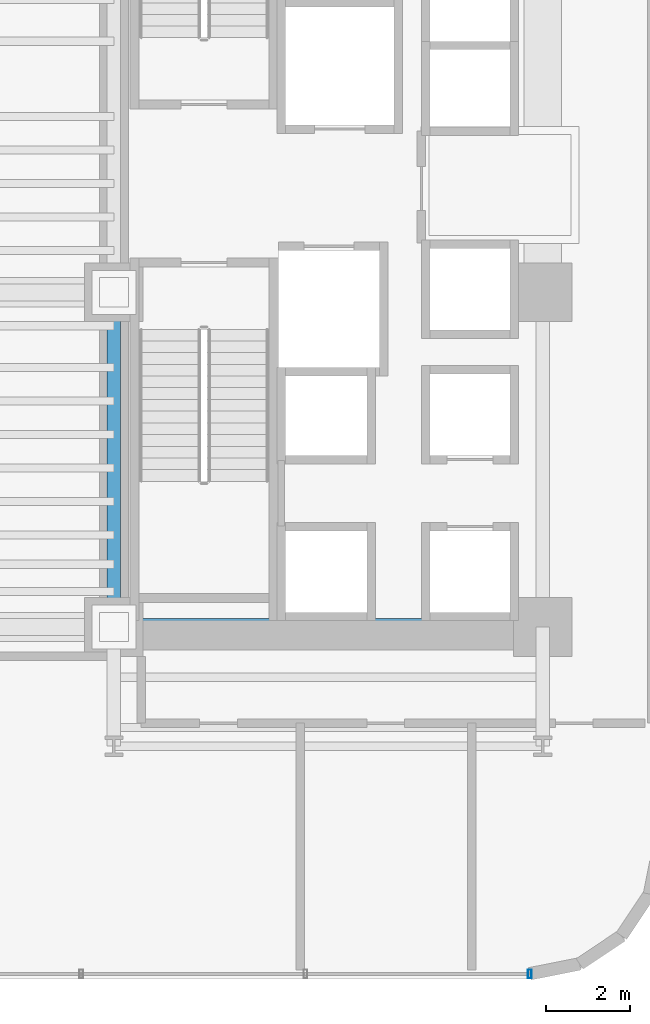
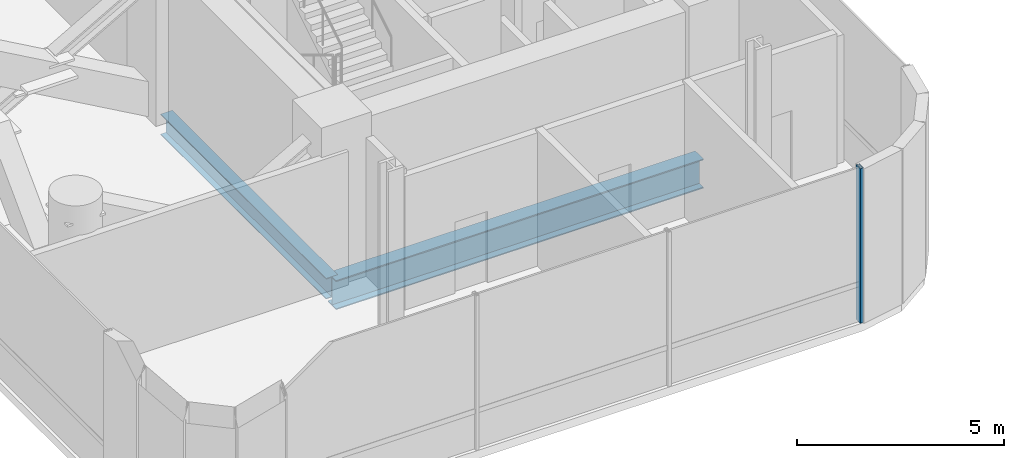
# One storey, part 6 of 39: 2 beams, 1 member, 1 element without a shape of its own.
"""IFC4 building model written with IfcOpenShell, lengths in metres."""

import ifcopenshell
import ifcopenshell.guid

model = None  # the IFC model being written
_history = None  # IfcOwnerHistory: only IFC2X3 demands one
_inside = {}  # id of a spatial element -> (the spatial element, [elements in it])
_under = {}  # id of a project, library or spatial element -> (it, [spatial elements below it])
_declared = {}  # id of a project -> (the project, [libraries it declares])
_typed = {}  # id of a type object -> (the type object, [elements of that type])
_made_of = {}  # id of a material, layer set ... -> (it, [elements and type objects made of it])


def new_model(schema):
    """Start an empty IFC model of exactly this schema.

    Asked for "IFC4X3", IfcOpenShell would pick the latest addendum, in which some entities
    have other attributes; the version numbers below select the first issue.
    IFC2X3 requires an IfcOwnerHistory on every rooted entity: one is made here for all.
    """
    global model, _history
    if schema == "IFC4X3":
        model = ifcopenshell.file(schema_version=(4, 3, 0, 0))
    else:
        model = ifcopenshell.file(schema=schema)
    _inside.clear()
    _under.clear()
    _declared.clear()
    _typed.clear()
    _made_of.clear()
    _history = None
    if model.schema == "IFC2X3":
        org = make("IfcOrganization", Name="unknown")
        user = make(
            "IfcPersonAndOrganization",
            ThePerson=make("IfcPerson", FamilyName="unknown"),
            TheOrganization=org,
        )
        app = make(
            "IfcApplication",
            ApplicationDeveloper=org,
            Version="unknown",
            ApplicationFullName="unknown",
            ApplicationIdentifier="unknown",
        )
        _history = make(
            "IfcOwnerHistory",
            OwningUser=user,
            OwningApplication=app,
            ChangeAction="ADDED",
            CreationDate=0,
        )
    return model


def make(cls, **values):
    """One entity of the class cls with the attributes given. An attribute that is None is left unset."""
    return model.create_entity(
        cls, **{name: value for name, value in values.items() if value is not None}
    )


def rooted(cls, **values):
    """An entity with a GlobalId (a new one), such as an element, a storey or a relation."""
    return make(cls, GlobalId=ifcopenshell.guid.new(), OwnerHistory=_history, **values)


def si_unit(unit_type, name, prefix=None):
    """IfcSIUnit, for example si_unit("LENGTHUNIT", "METRE", prefix="MILLI")."""
    return make("IfcSIUnit", UnitType=unit_type, Prefix=prefix, Name=name)


def assignment(units):
    """IfcUnitAssignment: the units of a project."""
    return None if units is None else make("IfcUnitAssignment", Units=units)


def point(xyz):
    """IfcCartesianPoint."""
    return None if xyz is None else make("IfcCartesianPoint", Coordinates=xyz)


def direction(xyz):
    """IfcDirection."""
    return None if xyz is None else make("IfcDirection", DirectionRatios=xyz)


def frame(location, z_axis=None, x_axis=None):
    """IfcAxis2Placement3D, a coordinate frame: its origin and axes. An axis left out is left unset."""
    return make(
        "IfcAxis2Placement3D",
        Location=point(location),
        Axis=direction(z_axis),
        RefDirection=direction(x_axis),
    )


def frame_2d(location, x_axis=None):
    """IfcAxis2Placement2D, a coordinate frame in the plane: its origin and x axis."""
    return make(
        "IfcAxis2Placement2D", Location=point(location), RefDirection=direction(x_axis)
    )


def origin():
    """The frame at (0, 0, 0) with its axes left unset."""
    return frame((0.0, 0.0, 0.0))


def origin_2d():
    """The frame at (0, 0) in the plane with its x axis left unset."""
    return frame_2d((0.0, 0.0))


def place(relative_to, where):
    """IfcLocalPlacement: puts the frame where relative to a parent placement (None: the world)."""
    return make(
        "IfcLocalPlacement", PlacementRelTo=relative_to, RelativePlacement=where
    )


def context(
    kind, dimensions, precision=None, world=None, true_north=None, identifier=None
):
    """IfcGeometricRepresentationContext, for example the 3D "Model" context."""
    return make(
        "IfcGeometricRepresentationContext",
        ContextIdentifier=identifier,
        ContextType=kind,
        CoordinateSpaceDimension=dimensions,
        Precision=precision,
        WorldCoordinateSystem=world,
        TrueNorth=true_north,
    )


def subcontext(parent, identifier, kind, view, scale=None):
    """IfcGeometricRepresentationSubContext, for example "Body" below "Model"."""
    return make(
        "IfcGeometricRepresentationSubContext",
        ContextIdentifier=identifier,
        ContextType=kind,
        ParentContext=parent,
        TargetScale=scale,
        TargetView=view,
    )


def project(units=None, contexts=None):
    """IfcProject with its units and contexts."""
    return rooted(
        "IfcProject",
        Name="project",
        RepresentationContexts=contexts,
        UnitsInContext=assignment(units),
    )


def spatial(cls, under=None, at=None, **own):
    """A site, building, storey or space (cls), placed at a placement, below another one or the project."""
    s = rooted(cls, ObjectPlacement=at, **own)
    if under is not None:
        _under.setdefault(under.id(), (under, []))[1].append(s)
    return s


def profile(cls, at=None, kind="AREA", **sizes):
    """A parametric profile (cls). Its sizes go by their IFC names, for example OverallWidth=200.0."""
    return make(cls, ProfileType=kind, Position=at, **sizes)


def hollow_rectangle(**sizes):
    """IfcRectangleHollowProfileDef."""
    return profile("IfcRectangleHollowProfileDef", **sizes)


def i_section(**sizes):
    """IfcIShapeProfileDef."""
    return profile("IfcIShapeProfileDef", **sizes)


def extrude(swept, where, along, depth):
    """IfcExtrudedAreaSolid: the profile swept, set in the frame where, extruded along a direction by depth."""
    return make(
        "IfcExtrudedAreaSolid",
        SweptArea=swept,
        Position=where,
        ExtrudedDirection=direction(along),
        Depth=depth,
    )


def shape(context_of_items, identifier, shape_type, items):
    """IfcShapeRepresentation: the items that make up one representation, for example the "Body"."""
    return make(
        "IfcShapeRepresentation",
        ContextOfItems=context_of_items,
        RepresentationIdentifier=identifier,
        RepresentationType=shape_type,
        Items=items,
    )


def source(mapping_origin, context_of_items, identifier, shape_type, items):
    """IfcRepresentationMap: a shape defined once, which mapped items show again and again."""
    return make(
        "IfcRepresentationMap",
        MappingOrigin=mapping_origin,
        MappedRepresentation=shape(context_of_items, identifier, shape_type, items),
    )


def transform(
    local_origin,
    x_axis=None,
    y_axis=None,
    z_axis=None,
    scale=None,
    scale2=None,
    scale3=None,
    uniform=True,
):
    """IfcCartesianTransformationOperator3D, or its non-uniform kind. x_axis, y_axis, z_axis: its Axis1, 2, 3."""
    if uniform:
        return make(
            "IfcCartesianTransformationOperator3D",
            Axis1=direction(x_axis),
            Axis2=direction(y_axis),
            LocalOrigin=point(local_origin),
            Scale=scale,
            Axis3=direction(z_axis),
        )
    return make(
        "IfcCartesianTransformationOperator3DnonUniform",
        Axis1=direction(x_axis),
        Axis2=direction(y_axis),
        LocalOrigin=point(local_origin),
        Scale=scale,
        Axis3=direction(z_axis),
        Scale2=scale2,
        Scale3=scale3,
    )


def mapped(mapping_source, mapping_target):
    """IfcMappedItem: shows the shape of a source again, moved by a transform."""
    return make(
        "IfcMappedItem", MappingSource=mapping_source, MappingTarget=mapping_target
    )


def material(Name=None, Category=None):
    """IfcMaterial."""
    return make("IfcMaterial", Name=Name, Category=Category)


def material_profile(
    of_material, cross_section, Name=None, Category=None, Priority=None
):
    """IfcMaterialProfile: a cross section and its material."""
    return make(
        "IfcMaterialProfile",
        Name=Name,
        Material=of_material,
        Profile=cross_section,
        Priority=Priority,
        Category=Category,
    )


def profile_set(profiles, Name=None, composite=None):
    """IfcMaterialProfileSet."""
    return make(
        "IfcMaterialProfileSet",
        Name=Name,
        MaterialProfiles=profiles,
        CompositeProfile=composite,
    )


def made_of(thing, what):
    """Note that an element or type object is made of a material, layer set ...; save() writes the relation."""
    if what is not None:
        _made_of.setdefault(what.id(), (what, []))[1].append(thing)
    return thing


def type_object(cls, material=None, **own):
    """A type object (cls), such as IfcWallType, which elements share."""
    return made_of(rooted(cls, **own), material)


def element(
    cls,
    number,
    at=None,
    inside=None,
    cuts=None,
    type_object=None,
    material=None,
    context=None,
    identifier="Body",
    shape_type=None,
    held_by="IfcProductDefinitionShape",
    body=None,
    shapes=None,
    **own,
):
    """One element of the class cls, such as IfcWall. Its Tag is "e" and its number.

    at: its placement. inside: the storey or other place that contains it. cuts: it is an
    opening in that element (IfcRelVoidsElement). A single representation is given by context,
    identifier, shape_type and body (its items); several are given by shapes. held_by: the class
    of the entity that holds the representations. save() writes the other relations.
    """
    e = rooted(cls, Tag="e%d" % number, ObjectPlacement=at, **own)
    if body is not None:
        shapes = [shape(context, identifier, shape_type, body)]
    if shapes is not None:
        e.Representation = make(held_by, Representations=shapes)
    if inside is not None:
        _inside.setdefault(inside.id(), (inside, []))[1].append(e)
    if cuts is not None:
        rooted(
            "IfcRelVoidsElement", RelatingBuildingElement=cuts, RelatedOpeningElement=e
        )
    if type_object is not None:
        _typed.setdefault(type_object.id(), (type_object, []))[1].append(e)
    return made_of(e, material)


def aggregate(whole, parts):
    """IfcRelAggregates: a whole, such as a stair, and the parts it consists of."""
    return rooted("IfcRelAggregates", RelatingObject=whole, RelatedObjects=parts)


def save(model, path):
    """Write the relations noted so far, then the file.

    IfcRelAggregates (storeys below a building ...), IfcRelContainedInSpatialStructure (elements
    in a storey), IfcRelDefinesByType, IfcRelAssociatesMaterial and IfcRelDeclares: one each for
    every whole, place, type object, material and project.
    """
    for whole, parts in _under.values():
        aggregate(whole, parts)
    for where, things in _inside.values():
        rooted(
            "IfcRelContainedInSpatialStructure",
            RelatedElements=things,
            RelatingStructure=where,
        )
    for kind, things in _typed.values():
        rooted("IfcRelDefinesByType", RelatedObjects=things, RelatingType=kind)
    for what, things in _made_of.values():
        rooted("IfcRelAssociatesMaterial", RelatedObjects=things, RelatingMaterial=what)
    for by, libraries in _declared.values():
        rooted("IfcRelDeclares", RelatingContext=by, RelatedDefinitions=libraries)
    model.write(path)


model = new_model("IFC4")

# Units and contexts
model_context = context("Model", 3, precision=1e-05, world=origin(), true_north=direction((0.0, 1.0)))
body_context = subcontext(model_context, "Body", "Model", "MODEL_VIEW")
ifc_project = project(units=[si_unit("LENGTHUNIT", "METRE"), si_unit("AREAUNIT", "SQUARE_METRE"), si_unit("VOLUMEUNIT", "CUBIC_METRE"), si_unit("PLANEANGLEUNIT", "RADIAN"), si_unit("MASSUNIT", "GRAM", prefix="KILO")], contexts=[model_context])

# Site, building, storey
site_placement = place(None, origin())
site = spatial("IfcSite", under=ifc_project, at=site_placement, CompositionType="ELEMENT")
building_placement = place(site_placement, origin())
building = spatial("IfcBuilding", under=site, at=building_placement, Name="Valdorenza Pilgrim Sanctuary Tower", CompositionType="ELEMENT")
storey_placement = place(building_placement, frame((0.0, 0.0, 96.300048828125)))
storey = spatial("IfcBuildingStorey", under=building, at=storey_placement, Name="L24", CompositionType="ELEMENT", Elevation=96.300048828125)

# Beams
ifc_material_1 = material(Name="Steel ASTM A992 Grade 50", Category="steel")
ifc_material_profile_1 = material_profile(ifc_material_1, i_section(OverallWidth=0.323974609375, OverallDepth=0.611083984375, WebThickness=0.0126953125, FlangeThickness=0.01904296875, at=origin_2d()), Name="W24X104")
ifc_profile_set_1 = profile_set([ifc_material_profile_1], Name="Steel ASTM A992 Grade 50")
beam_type_1 = type_object("IfcBeamType", Name="STR-BM-GRD-W24B", PredefinedType="BEAM", material=ifc_profile_set_1)
shared_shape_1 = source(origin(), body_context, "Body", "SweptSolid", [
    extrude(i_section(OverallWidth=0.323974609375, OverallDepth=0.611083984375, WebThickness=0.0126953125, FlangeThickness=0.01904296875, at=origin_2d()), origin(), (0.0, 0.0, 1.0), 8.0),
])
beam_1_placement = place(storey_placement, frame((-22.64990234375, -10.60009765625, -0.545654296875), z_axis=(0.0, 1.0, 0.0), x_axis=(-1.0, 0.0, 0.0)))
element("IfcBeam", 1, at=beam_1_placement, inside=storey, type_object=beam_type_1, Name="L24 Core Tie Girder CA-W-S1M0", PredefinedType="BEAM", context=body_context, shape_type="MappedRepresentation", body=[
    mapped(shared_shape_1, transform((0.0, 0.0, 0.0), x_axis=(1.0, 0.0, 0.0), y_axis=(0.0, 1.0, 0.0), z_axis=(0.0, 0.0, 1.0), scale=1.0)),
])
ifc_material_profile_2 = material_profile(ifc_material_1, i_section(OverallWidth=0.39990234375, OverallDepth=0.862060546875, WebThickness=0.019775390625, FlangeThickness=0.032470703125, at=origin_2d()), Name="W33X221")
ifc_profile_set_2 = profile_set([ifc_material_profile_2], Name="Steel ASTM A992 Grade 50")
beam_type_2 = type_object("IfcBeamType", Name="STR-BM-GRD-W33", PredefinedType="BEAM", material=ifc_profile_set_2)
shared_shape_2 = source(origin(), body_context, "Body", "SweptSolid", [
    extrude(i_section(OverallWidth=0.39990234375, OverallDepth=0.862060546875, WebThickness=0.019775390625, FlangeThickness=0.032470703125, at=origin_2d()), origin(), (0.0, 0.0, 1.0), 10.25),
])
beam_2_placement = place(storey_placement, frame((-22.64990234375, -10.60009765625, -0.671142578125), z_axis=(1.0, 0.0, 0.0), x_axis=(0.0, 1.0, 0.0)))
element("IfcBeam", 2, at=beam_2_placement, inside=storey, type_object=beam_type_2, Name="L24 Floor Girder CA-XC-S1", PredefinedType="BEAM", context=body_context, shape_type="MappedRepresentation", body=[
    mapped(shared_shape_2, transform((0.0, 0.0, 0.0), x_axis=(1.0, 0.0, 0.0), y_axis=(0.0, 1.0, 0.0), z_axis=(0.0, 0.0, 1.0), scale=1.0)),
])

# Curtain wall, member
ifc_material_2 = material(Name="Curtain-wall IGU glazing", Category="glass")
curtain_wall_type = type_object("IfcCurtainWallType", Name="CW-SYS-02", PredefinedType="NOTDEFINED", material=ifc_material_2)
curtain_wall_placement = place(storey_placement, origin())
curtain_wall = element("IfcCurtainWall", 3, at=curtain_wall_placement, inside=storey, type_object=curtain_wall_type, Name="L24 Curtain Wall CW-L24-1-46", PredefinedType="NOTDEFINED")
ifc_material_3 = material(Name="Anodised aluminium AW-6060", Category="aluminium")
ifc_material_profile_3 = material_profile(ifc_material_3, hollow_rectangle(XDim=0.0849609375, YDim=0.199951171875, WallThickness=0.0048828125, at=origin_2d()), Name="ALU-M 200x85x5")
ifc_profile_set_3 = profile_set([ifc_material_profile_3], Name="Anodised aluminium AW-6060")
member_type = type_object("IfcMemberType", Name="CW-MUL-02", PredefinedType="MULLION", material=ifc_profile_set_3)
shared_shape_3 = source(origin(), body_context, "Body", "SweptSolid", [
    extrude(hollow_rectangle(XDim=0.0849609375, YDim=0.199951171875, WallThickness=0.0048828125, at=origin_2d()), origin(), (0.0, 0.0, 1.0), 4.56005859375),
])
member_placement = place(storey_placement, frame((-12.710693359375, -18.889892578125, 0.0), z_axis=(0.0, 0.0, 1.0), x_axis=(-1.0, 0.0, 0.0)))
member = element("IfcMember", 4, at=member_placement, type_object=member_type, Name="CW-L24-1-46 Mullion 1", PredefinedType="MULLION", context=body_context, shape_type="MappedRepresentation", body=[
    mapped(shared_shape_3, transform((0.0, 0.0, 0.0), x_axis=(1.0, 0.0, 0.0), y_axis=(0.0, 1.0, 0.0), z_axis=(0.0, 0.0, 1.0), scale=1.0)),
])
aggregate(curtain_wall, [member])

save(model, "model.ifc")
